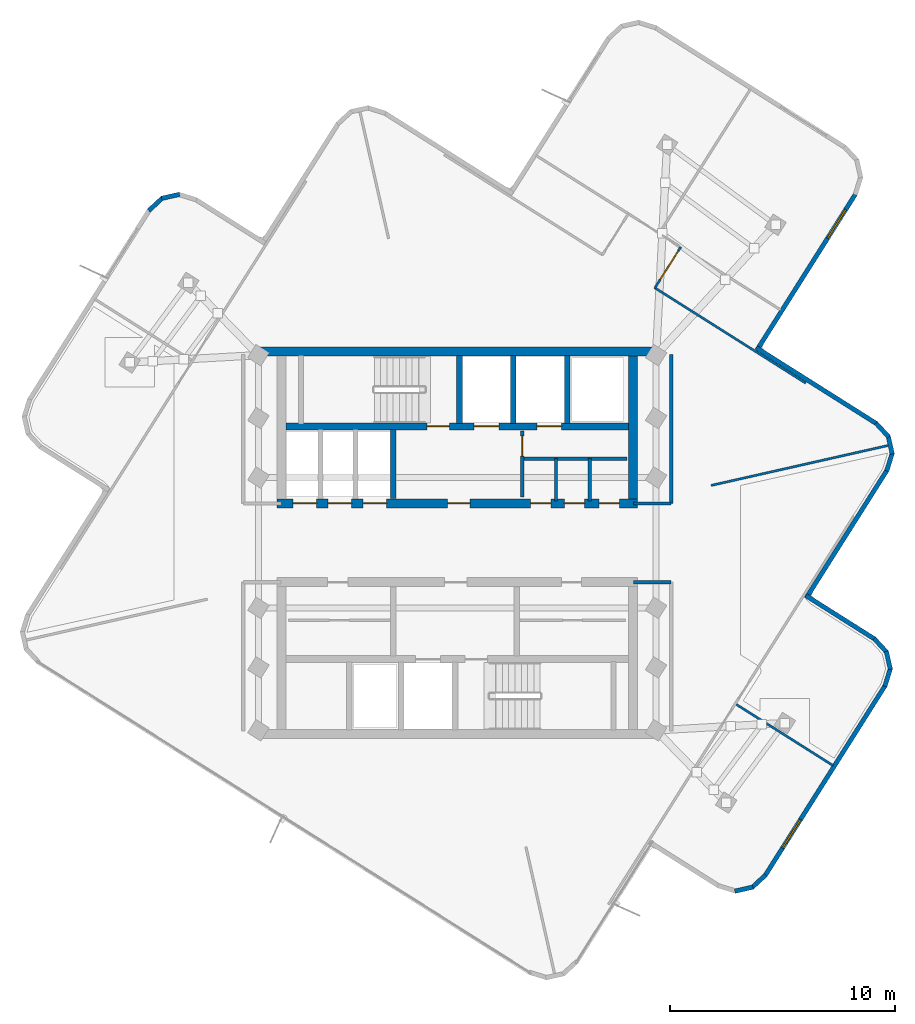
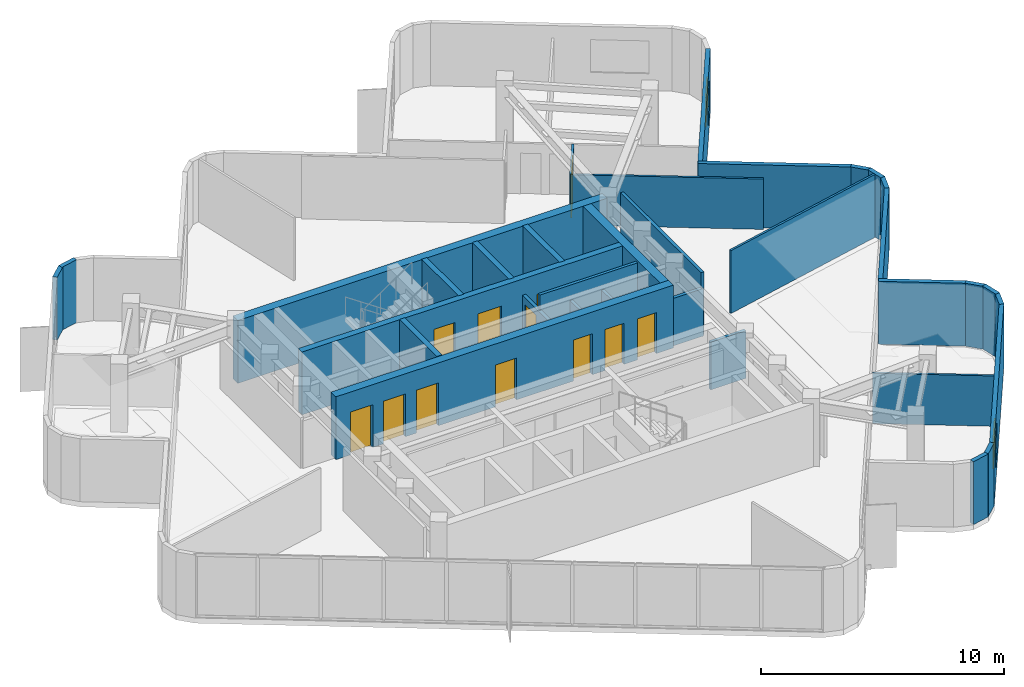
# One storey, part 5 of 8: 34 walls, 12 doors, 2 windows, 14 openings.
"""IFC4 building model written with IfcOpenShell, lengths in metres."""

from ifc_helpers import new_model, si_unit, direction, frame, frame_2d, origin, place, context, subcontext, project, spatial, rectangle, extrude, material, layer, layer_set, type_object, element, fill, save


model = new_model("IFC4")

# Units and contexts
model_context = context("Model", 3, precision=1e-05, world=origin(), true_north=direction((0.0, 1.0)))
body_context = subcontext(model_context, "Body", "Model", "MODEL_VIEW")
ifc_project = project(units=[si_unit("LENGTHUNIT", "METRE"), si_unit("AREAUNIT", "SQUARE_METRE"), si_unit("VOLUMEUNIT", "CUBIC_METRE"), si_unit("PLANEANGLEUNIT", "RADIAN"), si_unit("MASSUNIT", "GRAM", prefix="KILO")], contexts=[model_context])

# Site, building, storey
site_placement = place(None, origin())
site = spatial("IfcSite", under=ifc_project, at=site_placement, CompositionType="ELEMENT")
building_placement = place(site_placement, origin())
building = spatial("IfcBuilding", under=site, at=building_placement, Name="Solmarez Civic Tower", CompositionType="ELEMENT")
storey_placement = place(building_placement, frame((0.0, 0.0, 271.43994140625)))
storey = spatial("IfcBuildingStorey", under=building, at=storey_placement, Name="L73", CompositionType="ELEMENT", Elevation=271.43994140625)

# Wall
ifc_material_1 = material(Name="Concrete C50/60", Category="concrete")
ifc_layer_1 = layer(ifc_material_1, 0.39990234375)
ifc_layer_set_1 = layer_set([ifc_layer_1], Name="Concrete C50/60")
wall_type_1 = type_object("IfcWallType", Name="WALL-CORE-400", PredefinedType="SHEAR", material=ifc_layer_set_1)
wall_1_placement = place(storey_placement, frame((-8.780029296875, 8.510009765625, 0.0), z_axis=(0.0, 0.0, 1.0), x_axis=(1.0, 0.0, 0.0)))
element("IfcWall", 1, at=wall_1_placement, inside=storey, type_object=wall_type_1, Name="L73 Split-Core Structural Wall NCW-N-L73", PredefinedType="SHEAR", context=body_context, shape_type="SweptSolid", body=[
    extrude(rectangle(XDim=17.56005859375, YDim=0.39990234375, at=frame_2d((8.780029296875, 0.0))), origin(), (0.0, 0.0, 1.0), 3.16015625),
])

# Wall, openings, doors
wall_2_placement = place(storey_placement, frame((8.02001953125, 1.75, 0.0), z_axis=(0.0, 0.0, 1.0), x_axis=(-1.0, 0.0, 0.0)))
wall_2 = element("IfcWall", 2, at=wall_2_placement, inside=storey, type_object=wall_type_1, Name="L73 Split-Core Structural Wall NCW-S-L73", PredefinedType="SHEAR", context=body_context, shape_type="SweptSolid", body=[
    extrude(rectangle(XDim=16.0400390625, YDim=0.39990234375, at=frame_2d((8.02001953125, 0.0))), origin(), (0.0, 0.0, 1.0), 3.16015625),
])
opening_1_placement = place(wall_2_placement, frame((7.449951171875, 0.0, 0.0)))
opening_1 = element("IfcOpeningElement", 3, at=opening_1_placement, cuts=wall_2, Name="Opening D-04", PredefinedType="OPENING", context=body_context, shape_type="SweptSolid", body=[
    extrude(rectangle(XDim=1.0, YDim=2.10009765625, at=frame_2d((0.5, 1.050048828125))), frame((0.0, 0.2099609375, 0.0), z_axis=(0.0, -1.0, 0.0), x_axis=(1.0, 0.0, 0.0)), (0.0, 0.0, 1.0), 0.419921875),
])
opening_2_placement = place(wall_2_placement, frame((14.284912109375, 0.0, 0.0)))
opening_2 = element("IfcOpeningElement", 4, at=opening_2_placement, cuts=wall_2, Name="Opening LD-01", PredefinedType="OPENING", context=body_context, shape_type="SweptSolid", body=[
    extrude(rectangle(XDim=1.050048828125, YDim=2.14990234375, at=frame_2d((0.52490234375, 1.074951171875))), frame((0.0, 0.2099609375, 0.0), z_axis=(0.0, -1.0, 0.0), x_axis=(1.0, 0.0, 0.0)), (0.0, 0.0, 1.0), 0.419921875),
])
opening_3_placement = place(wall_2_placement, frame((12.72509765625, 0.0, 0.0)))
opening_3 = element("IfcOpeningElement", 5, at=opening_3_placement, cuts=wall_2, Name="Opening LD-01", PredefinedType="OPENING", context=body_context, shape_type="SweptSolid", body=[
    extrude(rectangle(XDim=1.050048828125, YDim=2.14990234375, at=frame_2d((0.52490234375, 1.074951171875))), frame((0.0, 0.2099609375, 0.0), z_axis=(0.0, -1.0, 0.0), x_axis=(1.0, 0.0, 0.0)), (0.0, 0.0, 1.0), 0.419921875),
])
opening_4_placement = place(wall_2_placement, frame((11.1650390625, 0.0, 0.0)))
opening_4 = element("IfcOpeningElement", 6, at=opening_4_placement, cuts=wall_2, Name="Opening LD-01", PredefinedType="OPENING", context=body_context, shape_type="SweptSolid", body=[
    extrude(rectangle(XDim=1.050048828125, YDim=2.14990234375, at=frame_2d((0.52490234375, 1.074951171875))), frame((0.0, 0.2099609375, 0.0), z_axis=(0.0, -1.0, 0.0), x_axis=(1.0, 0.0, 0.0)), (0.0, 0.0, 1.0), 0.419921875),
])
opening_5_placement = place(wall_2_placement, frame((3.85009765625, 0.0, 0.0)))
opening_5 = element("IfcOpeningElement", 7, at=opening_5_placement, cuts=wall_2, Name="Opening D-09", PredefinedType="OPENING", context=body_context, shape_type="SweptSolid", body=[
    extrude(rectangle(XDim=0.89990234375, YDim=2.06005859375, at=frame_2d((0.449951171875, 1.030029296875))), frame((0.0, 0.2099609375, 0.0), z_axis=(0.0, -1.0, 0.0), x_axis=(1.0, 0.0, 0.0)), (0.0, 0.0, 1.0), 0.419921875),
])
opening_6_placement = place(wall_2_placement, frame((2.35009765625, 0.0, 0.0)))
opening_6 = element("IfcOpeningElement", 8, at=opening_6_placement, cuts=wall_2, Name="Opening D-09", PredefinedType="OPENING", context=body_context, shape_type="SweptSolid", body=[
    extrude(rectangle(XDim=0.89990234375, YDim=2.06005859375, at=frame_2d((0.449951171875, 1.030029296875))), frame((0.0, 0.2099609375, 0.0), z_axis=(0.0, -1.0, 0.0), x_axis=(1.0, 0.0, 0.0)), (0.0, 0.0, 1.0), 0.419921875),
])
opening_7_placement = place(wall_2_placement, frame((0.800048828125, 0.0, 0.0)))
opening_7 = element("IfcOpeningElement", 9, at=opening_7_placement, cuts=wall_2, Name="Opening D-09", PredefinedType="OPENING", context=body_context, shape_type="SweptSolid", body=[
    extrude(rectangle(XDim=0.89990234375, YDim=2.06005859375, at=frame_2d((0.449951171875, 1.030029296875))), frame((0.0, 0.2099609375, 0.0), z_axis=(0.0, -1.0, 0.0), x_axis=(1.0, 0.0, 0.0)), (0.0, 0.0, 1.0), 0.419921875),
])
ifc_material_2 = material(Name="Steel-Faced Acoustic Fire Door", Category="steel")
door_type_1 = type_object("IfcDoorType", Name="DOOR-FD60-1000", OperationType="NOTDEFINED", PredefinedType="DOOR", material=ifc_material_2)
door_1_placement = place(opening_1_placement, origin())
door_1 = element("IfcDoor", 10, at=door_1_placement, inside=storey, type_object=door_type_1, Name="L73 North Firefighting Lobby Door", OperationType="SINGLE_SWING_RIGHT", OverallHeight=2.10009765625, OverallWidth=1.0, PredefinedType="DOOR", context=body_context, shape_type="SweptSolid", body=[
    extrude(rectangle(XDim=1.0, YDim=2.10009765625, at=frame_2d((0.5, 1.050048828125))), frame((0.0, 0.02490234375, 0.0), z_axis=(0.0, -1.0, 0.0), x_axis=(1.0, 0.0, 0.0)), (0.0, 0.0, 1.0), 0.050048828125),
])
fill(opening_1, door_1)
ifc_material_3 = material(Name="Fire-Rated Service Core Door", Category="wood")
door_type_2 = type_object("IfcDoorType", Name="DOOR-FD60-900", OperationType="NOTDEFINED", PredefinedType="DOOR", material=ifc_material_3)
door_2_placement = place(opening_5_placement, origin())
door_2 = element("IfcDoor", 11, at=door_2_placement, inside=storey, type_object=door_type_2, Name="L73 Core WC Door", OperationType="SINGLE_SWING_RIGHT", OverallHeight=2.06005859375, OverallWidth=0.89990234375, PredefinedType="DOOR", context=body_context, shape_type="SweptSolid", body=[
    extrude(rectangle(XDim=0.89990234375, YDim=2.06005859375, at=frame_2d((0.449951171875, 1.030029296875))), frame((0.0, 0.02490234375, 0.0), z_axis=(0.0, -1.0, 0.0), x_axis=(1.0, 0.0, 0.0)), (0.0, 0.0, 1.0), 0.050048828125),
])
fill(opening_5, door_2)
door_3_placement = place(opening_6_placement, origin())
door_3 = element("IfcDoor", 12, at=door_3_placement, inside=storey, type_object=door_type_2, Name="L73 Core CL Door", OperationType="SINGLE_SWING_LEFT", OverallHeight=2.06005859375, OverallWidth=0.89990234375, PredefinedType="DOOR", context=body_context, shape_type="SweptSolid", body=[
    extrude(rectangle(XDim=0.89990234375, YDim=2.06005859375, at=frame_2d((0.449951171875, 1.030029296875))), frame((0.0, 0.02490234375, 0.0), z_axis=(0.0, -1.0, 0.0), x_axis=(1.0, 0.0, 0.0)), (0.0, 0.0, 1.0), 0.050048828125),
])
fill(opening_6, door_3)
door_4_placement = place(opening_7_placement, origin())
door_4 = element("IfcDoor", 13, at=door_4_placement, inside=storey, type_object=door_type_2, Name="L73 Core IT Door", OperationType="SINGLE_SWING_LEFT", OverallHeight=2.06005859375, OverallWidth=0.89990234375, PredefinedType="DOOR", context=body_context, shape_type="SweptSolid", body=[
    extrude(rectangle(XDim=0.89990234375, YDim=2.06005859375, at=frame_2d((0.449951171875, 1.030029296875))), frame((0.0, 0.02490234375, 0.0), z_axis=(0.0, -1.0, 0.0), x_axis=(1.0, 0.0, 0.0)), (0.0, 0.0, 1.0), 0.050048828125),
])
fill(opening_7, door_4)
ifc_material_4 = material(Name="Bronze Passenger Lift Landing Sliding Door", Category="aluminium")
door_type_3 = type_object("IfcDoorType", Name="DOOR-LD-PAX-1050", OperationType="DOUBLE_DOOR_SLIDING", PredefinedType="DOOR", material=ifc_material_4)
door_5_placement = place(opening_2_placement, origin())
door_5 = element("IfcDoor", 14, at=door_5_placement, inside=storey, type_object=door_type_3, Name="L73 High-Rise Lift Landing Door PL-H1", OperationType="DOUBLE_DOOR_SLIDING", OverallHeight=2.14990234375, OverallWidth=1.050048828125, PredefinedType="DOOR", context=body_context, shape_type="SweptSolid", body=[
    extrude(rectangle(XDim=1.050048828125, YDim=2.14990234375, at=frame_2d((0.52490234375, 1.074951171875))), frame((0.0, 0.02490234375, 0.0), z_axis=(0.0, -1.0, 0.0), x_axis=(1.0, 0.0, 0.0)), (0.0, 0.0, 1.0), 0.050048828125),
])
fill(opening_2, door_5)
door_6_placement = place(opening_3_placement, origin())
door_6 = element("IfcDoor", 15, at=door_6_placement, inside=storey, type_object=door_type_3, Name="L73 High-Rise Lift Landing Door PL-H2", OperationType="DOUBLE_DOOR_SLIDING", OverallHeight=2.14990234375, OverallWidth=1.050048828125, PredefinedType="DOOR", context=body_context, shape_type="SweptSolid", body=[
    extrude(rectangle(XDim=1.050048828125, YDim=2.14990234375, at=frame_2d((0.52490234375, 1.074951171875))), frame((0.0, 0.02490234375, 0.0), z_axis=(0.0, -1.0, 0.0), x_axis=(1.0, 0.0, 0.0)), (0.0, 0.0, 1.0), 0.050048828125),
])
fill(opening_3, door_6)
door_7_placement = place(opening_4_placement, origin())
door_7 = element("IfcDoor", 16, at=door_7_placement, inside=storey, type_object=door_type_3, Name="L73 High-Rise Lift Landing Door PL-H3", OperationType="DOUBLE_DOOR_SLIDING", OverallHeight=2.14990234375, OverallWidth=1.050048828125, PredefinedType="DOOR", context=body_context, shape_type="SweptSolid", body=[
    extrude(rectangle(XDim=1.050048828125, YDim=2.14990234375, at=frame_2d((0.52490234375, 1.074951171875))), frame((0.0, 0.02490234375, 0.0), z_axis=(0.0, -1.0, 0.0), x_axis=(1.0, 0.0, 0.0)), (0.0, 0.0, 1.0), 0.050048828125),
])
fill(opening_4, door_7)

# Walls
wall_3_placement = place(storey_placement, frame((7.820068359375, 8.31005859375, 0.0), z_axis=(0.0, 0.0, 1.0), x_axis=(0.0, -1.0, 0.0)))
element("IfcWall", 17, at=wall_3_placement, inside=storey, type_object=wall_type_1, Name="L73 Split-Core Structural Wall NCW-E-L73", PredefinedType="SHEAR", context=body_context, shape_type="SweptSolid", body=[
    extrude(rectangle(XDim=6.360107421875, YDim=0.39990234375, at=frame_2d((3.18017578125, 0.0))), origin(), (0.0, 0.0, 1.0), 3.16015625),
])
ifc_material_5 = material(Name="Precast concrete C40/50", Category="concrete")
ifc_layer_2 = layer(ifc_material_5, 0.199951171875)
ifc_layer_set_2 = layer_set([ifc_layer_2], Name="Precast concrete C40/50")
wall_type_2 = type_object("IfcWallType", Name="WALL-EXT-200", PredefinedType="SOLIDWALL", material=ifc_layer_set_2)
wall_4_placement = place(storey_placement, frame((-13.73388671875, 14.781982421875, 0.0), z_axis=(0.0, 0.0, 1.0), x_axis=(0.73396507435, 0.679187212508, 0.0)))
element("IfcWall", 18, at=wall_4_placement, inside=storey, type_object=wall_type_2, Name="L73 Exterior Precast Wall 18", PredefinedType="SOLIDWALL", context=body_context, shape_type="SweptSolid", body=[
    extrude(rectangle(XDim=0.837890625, YDim=0.199951171875, at=frame_2d((0.4189453125, 0.0))), origin(), (0.0, 0.0, 1.0), 3.16015625),
])
wall_5_placement = place(storey_placement, frame((-13.160888671875, 15.327880859375, 0.0), z_axis=(0.0, 0.0, 1.0), x_axis=(0.975030953114, 0.222068999343, 0.0)))
element("IfcWall", 19, at=wall_5_placement, inside=storey, type_object=wall_type_2, Name="L73 Exterior Precast Wall 19", PredefinedType="SOLIDWALL", context=body_context, shape_type="SweptSolid", body=[
    extrude(rectangle(XDim=0.824462890625, YDim=0.199951171875, at=frame_2d((0.412109375, 0.0))), origin(), (0.0, 0.0, 1.0), 3.16015625),
])

# Wall, opening, window
wall_6_placement = place(storey_placement, frame((17.739990234375, 15.5390625, 0.0), z_axis=(0.0, 0.0, 1.0), x_axis=(-0.533941726163, -0.845521278893, 0.0)))
wall_6 = element("IfcWall", 20, at=wall_6_placement, inside=storey, type_object=wall_type_2, Name="L73 Exterior Precast Wall 39", PredefinedType="SOLIDWALL", context=body_context, shape_type="SweptSolid", body=[
    extrude(rectangle(XDim=8.2421875, YDim=0.199951171875, at=frame_2d((4.12109375, 0.0))), origin(), (0.0, 0.0, 1.0), 3.16015625),
])
opening_8_placement = place(wall_6_placement, frame((0.85009765625, 0.0, 0.85009765625)))
opening_8 = element("IfcOpeningElement", 21, at=opening_8_placement, cuts=wall_6, Name="Opening W-14", PredefinedType="OPENING", context=body_context, shape_type="SweptSolid", body=[
    extrude(rectangle(XDim=1.5, YDim=1.5, at=frame_2d((0.75, 0.75))), frame((0.0, 0.10986328125, 0.0), z_axis=(0.0, -1.0, 0.0), x_axis=(1.0, 0.0, 0.0)), (0.0, 0.0, 1.0), 0.219970703125),
])
ifc_material_6 = material(Name="Solar Control Bronze-Tinted Insulating Glass", Category="glass")
window_type = type_object("IfcWindowType", Name="WIN-1500X1500", PartitioningType="SINGLE_PANEL", PredefinedType="WINDOW", material=ifc_material_6)
window_1_placement = place(opening_8_placement, origin())
window_1 = element("IfcWindow", 22, at=window_1_placement, inside=storey, type_object=window_type, Name="L73 Exterior Facade Window 39", OverallHeight=1.5, OverallWidth=1.5, PartitioningType="SINGLE_PANEL", PredefinedType="WINDOW", context=body_context, shape_type="SweptSolid", body=[
    extrude(rectangle(XDim=1.5, YDim=1.5, at=frame_2d((0.75, 0.75))), frame((0.0, 0.030029296875, 0.0), z_axis=(0.0, -1.0, 0.0), x_axis=(1.0, 0.0, 0.0)), (0.0, 0.0, 1.0), 0.06005859375),
])
fill(opening_8, window_1)

# Walls
wall_7_placement = place(storey_placement, frame((13.31396484375, 8.680908203125, 0.0), z_axis=(0.0, 0.0, 1.0), x_axis=(0.845530066623, -0.533927810135, 0.0)))
element("IfcWall", 23, at=wall_7_placement, inside=storey, type_object=wall_type_2, Name="L73 Exterior Precast Wall 42", PredefinedType="SOLIDWALL", context=body_context, shape_type="SweptSolid", body=[
    extrude(rectangle(XDim=6.341552734375, YDim=0.199951171875, at=frame_2d((3.1708984375, 0.0))), origin(), (0.0, 0.0, 1.0), 3.16015625),
])
wall_8_placement = place(storey_placement, frame((18.637939453125, 5.325927734375, 0.0), z_axis=(0.0, 0.0, 1.0), x_axis=(0.678558613405, -0.734546260064, 0.0)))
element("IfcWall", 24, at=wall_8_placement, inside=storey, type_object=wall_type_2, Name="L73 Exterior Precast Wall 43", PredefinedType="SOLIDWALL", context=body_context, shape_type="SweptSolid", body=[
    extrude(rectangle(XDim=0.837158203125, YDim=0.199951171875, at=frame_2d((0.41845703125, 0.0))), origin(), (0.0, 0.0, 1.0), 3.16015625),
])
wall_9_placement = place(storey_placement, frame((19.18310546875, 4.7529296875, 0.0), z_axis=(0.0, 0.0, 1.0), x_axis=(0.22178748126, -0.975095027757, 0.0)))
element("IfcWall", 25, at=wall_9_placement, inside=storey, type_object=wall_type_2, Name="L73 Exterior Precast Wall 44", PredefinedType="SOLIDWALL", context=body_context, shape_type="SweptSolid", body=[
    extrude(rectangle(XDim=0.824462890625, YDim=0.199951171875, at=frame_2d((0.412109375, 0.0))), origin(), (0.0, 0.0, 1.0), 3.16015625),
])
wall_10_placement = place(storey_placement, frame((19.366943359375, 3.9970703125, 0.0), z_axis=(0.0, 0.0, 1.0), x_axis=(-0.295803919306, -0.955248680357, 0.0)))
element("IfcWall", 26, at=wall_10_placement, inside=storey, type_object=wall_type_2, Name="L73 Exterior Precast Wall 45", PredefinedType="SOLIDWALL", context=body_context, shape_type="SweptSolid", body=[
    extrude(rectangle(XDim=0.838623046875, YDim=0.199951171875, at=frame_2d((0.41943359375, 0.0))), origin(), (0.0, 0.0, 1.0), 3.16015625),
])
wall_11_placement = place(storey_placement, frame((19.138916015625, 3.240966796875, 0.0), z_axis=(0.0, 0.0, 1.0), x_axis=(-0.534084270085, -0.845431246435, 0.0)))
element("IfcWall", 27, at=wall_11_placement, inside=storey, type_object=wall_type_2, Name="L73 Exterior Precast Wall 46", PredefinedType="SOLIDWALL", context=body_context, shape_type="SweptSolid", body=[
    extrude(rectangle(XDim=6.741943359375, YDim=0.199951171875, at=frame_2d((3.37109375, 0.0))), origin(), (0.0, 0.0, 1.0), 3.16015625),
])
wall_12_placement = place(storey_placement, frame((15.512939453125, -2.347900390625, 0.0), z_axis=(0.0, 0.0, 1.0), x_axis=(0.8454427056, -0.534066130313, 0.0)))
element("IfcWall", 28, at=wall_12_placement, inside=storey, type_object=wall_type_2, Name="L73 Exterior Precast Wall 49", PredefinedType="SOLIDWALL", context=body_context, shape_type="SweptSolid", body=[
    extrude(rectangle(XDim=3.64208984375, YDim=0.199951171875, at=frame_2d((1.821044921875, 0.0))), origin(), (0.0, 0.0, 1.0), 3.16015625),
])
wall_13_placement = place(storey_placement, frame((18.553955078125, -4.261962890625, 0.0), z_axis=(0.0, 0.0, 1.0), x_axis=(0.679187212508, -0.73396507435, 0.0)))
element("IfcWall", 29, at=wall_13_placement, inside=storey, type_object=wall_type_2, Name="L73 Exterior Precast Wall 50", PredefinedType="SOLIDWALL", context=body_context, shape_type="SweptSolid", body=[
    extrude(rectangle(XDim=0.837890625, YDim=0.199951171875, at=frame_2d((0.4189453125, 0.0))), origin(), (0.0, 0.0, 1.0), 3.16015625),
])
wall_14_placement = place(storey_placement, frame((19.10009765625, -4.8349609375, 0.0), z_axis=(0.0, 0.0, 1.0), x_axis=(0.222043922605, -0.975036664149, 0.0)))
element("IfcWall", 30, at=wall_14_placement, inside=storey, type_object=wall_type_2, Name="L73 Exterior Precast Wall 51", PredefinedType="SOLIDWALL", context=body_context, shape_type="SweptSolid", body=[
    extrude(rectangle(XDim=0.823486328125, YDim=0.199951171875, at=frame_2d((0.41162109375, 0.0))), origin(), (0.0, 0.0, 1.0), 3.16015625),
])
wall_15_placement = place(storey_placement, frame((19.283935546875, -5.590087890625, 0.0), z_axis=(0.0, 0.0, 1.0), x_axis=(-0.295803919306, -0.955248680357, 0.0)))
element("IfcWall", 31, at=wall_15_placement, inside=storey, type_object=wall_type_2, Name="L73 Exterior Precast Wall 52", PredefinedType="SOLIDWALL", context=body_context, shape_type="SweptSolid", body=[
    extrude(rectangle(XDim=0.838623046875, YDim=0.199951171875, at=frame_2d((0.41943359375, 0.0))), origin(), (0.0, 0.0, 1.0), 3.16015625),
])

# Wall, opening, window
wall_16_placement = place(storey_placement, frame((19.055908203125, -6.345947265625, 0.0), z_axis=(0.0, 0.0, 1.0), x_axis=(-0.534060804588, -0.845446069837, 0.0)))
wall_16 = element("IfcWall", 32, at=wall_16_placement, inside=storey, type_object=wall_type_2, Name="L73 Exterior Precast Wall 53", PredefinedType="SOLIDWALL", context=body_context, shape_type="SweptSolid", body=[
    extrude(rectangle(XDim=10.023193359375, YDim=0.199951171875, at=frame_2d((5.01171875, 0.0))), origin(), (0.0, 0.0, 1.0), 3.16015625),
])
opening_9_placement = place(wall_16_placement, frame((7.068115234375, 0.0, 0.85009765625)))
opening_9 = element("IfcOpeningElement", 33, at=opening_9_placement, cuts=wall_16, Name="Opening W-14", PredefinedType="OPENING", context=body_context, shape_type="SweptSolid", body=[
    extrude(rectangle(XDim=1.5, YDim=1.5, at=frame_2d((0.75, 0.75))), frame((0.0, 0.10986328125, 0.0), z_axis=(0.0, -1.0, 0.0), x_axis=(1.0, 0.0, 0.0)), (0.0, 0.0, 1.0), 0.219970703125),
])
window_2_placement = place(opening_9_placement, origin())
window_2 = element("IfcWindow", 34, at=window_2_placement, inside=storey, type_object=window_type, Name="L73 Exterior Facade Window 53", OverallHeight=1.5, OverallWidth=1.5, PartitioningType="SINGLE_PANEL", PredefinedType="WINDOW", context=body_context, shape_type="SweptSolid", body=[
    extrude(rectangle(XDim=1.5, YDim=1.5, at=frame_2d((0.75, 0.75))), frame((0.0, 0.030029296875, 0.0), z_axis=(0.0, -1.0, 0.0), x_axis=(1.0, 0.0, 0.0)), (0.0, 0.0, 1.0), 0.06005859375),
])
fill(opening_9, window_2)

# Walls
wall_17_placement = place(storey_placement, frame((13.73388671875, -14.781982421875, 0.0), z_axis=(0.0, 0.0, 1.0), x_axis=(-0.73396507435, -0.679187212508, 0.0)))
element("IfcWall", 35, at=wall_17_placement, inside=storey, type_object=wall_type_2, Name="L73 Exterior Precast Wall 54", PredefinedType="SOLIDWALL", context=body_context, shape_type="SweptSolid", body=[
    extrude(rectangle(XDim=0.837890625, YDim=0.199951171875, at=frame_2d((0.4189453125, 0.0))), origin(), (0.0, 0.0, 1.0), 3.16015625),
])
wall_18_placement = place(storey_placement, frame((13.160888671875, -15.327880859375, 0.0), z_axis=(0.0, 0.0, 1.0), x_axis=(-0.975030953114, -0.222068999343, 0.0)))
element("IfcWall", 36, at=wall_18_placement, inside=storey, type_object=wall_type_2, Name="L73 Exterior Precast Wall 55", PredefinedType="SOLIDWALL", context=body_context, shape_type="SweptSolid", body=[
    extrude(rectangle(XDim=0.824462890625, YDim=0.199951171875, at=frame_2d((0.412109375, 0.0))), origin(), (0.0, 0.0, 1.0), 3.16015625),
])
ifc_material_7 = material(Name="Gypsum Board Acoustic Steel-Stud Partition", Category="steel")
ifc_layer_3 = layer(ifc_material_7, 0.14990234375)
ifc_layer_set_3 = layer_set([ifc_layer_3], Name="Gypsum Board Acoustic Steel-Stud Partition")
wall_type_3 = type_object("IfcWallType", Name="WALL-INT-FIRE-150", PredefinedType="PARTITIONING", material=ifc_layer_set_3)
wall_19_placement = place(storey_placement, frame((9.52001953125, 1.75, 0.0), z_axis=(0.0, 0.0, 1.0), x_axis=(0.0, 1.0, 0.0)))
element("IfcWall", 37, at=wall_19_placement, inside=storey, type_object=wall_type_3, Name="L73 Interior Partition CHW-L73-EN1", PredefinedType="PARTITIONING", context=body_context, shape_type="SweptSolid", body=[
    extrude(rectangle(XDim=6.6298828125, YDim=0.14990234375, at=frame_2d((3.31494140625, 0.0))), origin(), (0.0, 0.0, 1.0), 3.16015625),
])
for number, where, z_axis, x_axis, name in (
    (38, (7.85009765625, 1.75, 0.0), (0.0, 0.0, 1.0), (1.0, 0.0, 0.0), "L73 Interior Partition CHW-L73-EN3"),
    (39, (7.85009765625, -1.75, 0.0), (0.0, 0.0, 1.0), (1.0, 0.0, 0.0), "L73 Interior Partition CHW-L73-ES3"),
):
    element("IfcWall", number, at=place(storey_placement, frame(where, z_axis=z_axis, x_axis=x_axis)), inside=storey, type_object=wall_type_3, Name=name, PredefinedType="PARTITIONING", context=body_context, shape_type="SweptSolid", body=[
        extrude(rectangle(XDim=1.669921875, YDim=0.14990234375, at=frame_2d((0.8349609375, 0.0))), origin(), (0.0, 0.0, 1.0), 2.39013671875),
    ])
ifc_layer_4 = layer(ifc_material_7, 0.10009765625)
ifc_layer_set_4 = layer_set([ifc_layer_4], Name="Gypsum Board Acoustic Steel-Stud Partition")
wall_type_4 = type_object("IfcWallType", Name="WALL-INT-PART-100", PredefinedType="PARTITIONING", material=ifc_layer_set_4)
wall_20_placement = place(storey_placement, frame((11.300048828125, 2.551025390625, 0.0), z_axis=(0.0, 0.0, 1.0), x_axis=(0.975452684537, 0.220209128395, 0.0)))
element("IfcWall", 40, at=wall_20_placement, inside=storey, type_object=wall_type_4, Name="L73 Interior Partition PT-L73-QDIV-4", PredefinedType="PARTITIONING", context=body_context, shape_type="SweptSolid", body=[
    extrude(rectangle(XDim=8.10986328125, YDim=0.10009765625, at=frame_2d((4.054931640625, 0.0))), origin(), (0.0, 0.0, 1.0), 3.16015625),
])
wall_21_placement = place(storey_placement, frame((15.511962890625, 7.10400390625, 0.0), z_axis=(0.0, 0.0, 1.0), x_axis=(-0.845450958208, 0.534053065963, 0.0)))
element("IfcWall", 41, at=wall_21_placement, inside=storey, type_object=wall_type_4, Name="L73 Interior Partition PT-L73-E-EFR", PredefinedType="PARTITIONING", context=body_context, shape_type="SweptSolid", body=[
    extrude(rectangle(XDim=7.95068359375, YDim=0.10009765625, at=frame_2d((3.975341796875, 0.0))), origin(), (0.0, 0.0, 1.0), 2.530029296875),
])

# Wall, opening, door
wall_22_placement = place(storey_placement, frame((8.798095703125, 11.343994140625, 0.0), z_axis=(0.0, 0.0, 1.0), x_axis=(0.533984489243, 0.845494272747, 0.0)))
wall_22 = element("IfcWall", 42, at=wall_22_placement, inside=storey, type_object=wall_type_4, Name="L73 Interior Partition PT-L73-E-SR", PredefinedType="PARTITIONING", context=body_context, shape_type="SweptSolid", body=[
    extrude(rectangle(XDim=2.16064453125, YDim=0.10009765625, at=frame_2d((1.080322265625, 0.0))), origin(), (0.0, 0.0, 1.0), 2.530029296875),
])
opening_10_placement = place(wall_22_placement, frame((0.44091796875, 0.0, 0.0)))
opening_10 = element("IfcOpeningElement", 43, at=opening_10_placement, cuts=wall_22, Name="Opening D-16", PredefinedType="OPENING", context=body_context, shape_type="SweptSolid", body=[
    extrude(rectangle(XDim=1.5, YDim=2.1201171875, at=frame_2d((0.75, 1.06005859375))), frame((0.0, 0.06005859375, 0.0), z_axis=(0.0, -1.0, 0.0), x_axis=(1.0, 0.0, 0.0)), (0.0, 0.0, 1.0), 0.1201171875),
])
ifc_material_8 = material(Name="Diplomatic Protocol Reception Door", Category="wood")
door_type_4 = type_object("IfcDoorType", Name="DOOR-INT-1500", OperationType="NOTDEFINED", PredefinedType="DOOR", material=ifc_material_8)
door_8_placement = place(opening_10_placement, origin())
door_8 = element("IfcDoor", 44, at=door_8_placement, inside=storey, type_object=door_type_4, Name="L73 Civic Lecture Classroom East Door", OperationType="SINGLE_SWING_RIGHT", OverallHeight=2.1201171875, OverallWidth=1.5, PredefinedType="DOOR", context=body_context, shape_type="SweptSolid", body=[
    extrude(rectangle(XDim=1.5, YDim=2.1201171875, at=frame_2d((0.75, 1.06005859375))), frame((0.0, 0.02490234375, 0.0), z_axis=(0.0, -1.0, 0.0), x_axis=(1.0, 0.0, 0.0)), (0.0, 0.0, 1.0), 0.050048828125),
])
fill(opening_10, door_8)

# Wall
wall_23_placement = place(storey_placement, frame((12.426025390625, -7.198974609375, 0.0), z_axis=(0.0, 0.0, 1.0), x_axis=(0.845412458252, -0.53411400977, 0.0)))
element("IfcWall", 45, at=wall_23_placement, inside=storey, type_object=wall_type_4, Name="L73 Interior Partition PT-L73-S-ALM", PredefinedType="PARTITIONING", context=body_context, shape_type="SweptSolid", body=[
    extrude(rectangle(XDim=5.085205078125, YDim=0.10009765625, at=frame_2d((2.54248046875, 0.0))), origin(), (0.0, 0.0, 1.0), 2.530029296875),
])

# Wall, opening, door
ifc_layer_5 = layer(ifc_material_7, 0.159912109375)
ifc_layer_set_5 = layer_set([ifc_layer_5], Name="Gypsum Board Acoustic Steel-Stud Partition")
wall_type_5 = type_object("IfcWallType", Name="WALL-INT-SHAFT-160", PredefinedType="PARTITIONING", material=ifc_layer_set_5)
wall_24_placement = place(storey_placement, frame((2.89990234375, 2.0400390625, 0.0), z_axis=(0.0, 0.0, 1.0), x_axis=(0.0, 1.0, 0.0)))
wall_24 = element("IfcWall", 46, at=wall_24_placement, inside=storey, type_object=wall_type_5, Name="L73 Interior Partition SHW-NL2-L73", PredefinedType="PARTITIONING", context=body_context, shape_type="SweptSolid", body=[
    extrude(rectangle(XDim=2.93994140625, YDim=0.159912109375, at=frame_2d((1.469970703125, 0.0))), origin(), (0.0, 0.0, 1.0), 2.39013671875),
])
opening_11_placement = place(wall_24_placement, frame((1.820068359375, 0.0, 0.0)))
opening_11 = element("IfcOpeningElement", 47, at=opening_11_placement, cuts=wall_24, Name="Opening D-09", PredefinedType="OPENING", context=body_context, shape_type="SweptSolid", body=[
    extrude(rectangle(XDim=0.89990234375, YDim=2.06005859375, at=frame_2d((0.449951171875, 1.030029296875))), frame((0.0, 0.08984375, 0.0), z_axis=(0.0, -1.0, 0.0), x_axis=(1.0, 0.0, 0.0)), (0.0, 0.0, 1.0), 0.179931640625),
])
door_9_placement = place(opening_11_placement, origin())
door_9 = element("IfcDoor", 48, at=door_9_placement, inside=storey, type_object=door_type_2, Name="L73 Service Lift Lobby Door", OperationType="SINGLE_SWING_LEFT", OverallHeight=2.06005859375, OverallWidth=0.89990234375, PredefinedType="DOOR", context=body_context, shape_type="SweptSolid", body=[
    extrude(rectangle(XDim=0.89990234375, YDim=2.06005859375, at=frame_2d((0.449951171875, 1.030029296875))), frame((0.0, 0.02490234375, 0.0), z_axis=(0.0, -1.0, 0.0), x_axis=(1.0, 0.0, 0.0)), (0.0, 0.0, 1.0), 0.050048828125),
])
fill(opening_11, door_9)

# Walls
ifc_layer_6 = layer(ifc_material_7, 0.137939453125)
ifc_layer_set_6 = layer_set([ifc_layer_6], Name="Gypsum Board Acoustic Steel-Stud Partition")
wall_type_6 = type_object("IfcWallType", Name="WALL-INT-WET-140", PredefinedType="PARTITIONING", material=ifc_layer_set_6)
wall_25_placement = place(storey_placement, frame((2.89990234375, 3.739990234375, 0.0), z_axis=(0.0, 0.0, 1.0), x_axis=(1.0, 0.0, 0.0)))
element("IfcWall", 49, at=wall_25_placement, inside=storey, type_object=wall_type_6, Name="L73 Interior Partition SHW-SVH-L73", PredefinedType="PARTITIONING", context=body_context, shape_type="SweptSolid", body=[
    extrude(rectangle(XDim=4.650146484375, YDim=0.137939453125, at=frame_2d((2.3251953125, 0.0))), origin(), (0.0, 0.0, 1.0), 3.16015625),
])
for number, where, z_axis, x_axis, name in (
    (50, (4.39990234375, 1.85009765625, 0.0), (0.0, 0.0, 1.0), (0.0, 1.0, 0.0), "L73 Interior Partition PT-NCSV1-L73"),
    (51, (5.89990234375, 1.85009765625, 0.0), (0.0, 0.0, 1.0), (0.0, 1.0, 0.0), "L73 Interior Partition PT-NCSV2-L73"),
):
    element("IfcWall", number, at=place(storey_placement, frame(where, z_axis=z_axis, x_axis=x_axis)), inside=storey, type_object=wall_type_6, Name=name, PredefinedType="PARTITIONING", context=body_context, shape_type="SweptSolid", body=[
        extrude(rectangle(XDim=1.889892578125, YDim=0.137939453125, at=frame_2d((0.94482421875, 0.0))), origin(), (0.0, 0.0, 1.0), 2.39013671875),
    ])

# Wall, openings, doors
ifc_layer_7 = layer(ifc_material_1, 0.300048828125)
ifc_layer_set_7 = layer_set([ifc_layer_7], Name="Concrete C50/60")
wall_type_7 = type_object("IfcWallType", Name="WALL-STR-300", PredefinedType="SOLIDWALL", material=ifc_layer_set_7)
wall_26_placement = place(storey_placement, frame((7.6201171875, 5.179931640625, 0.0), z_axis=(0.0, 0.0, 1.0), x_axis=(-1.0, 0.0, 0.0)))
wall_26 = element("IfcWall", 52, at=wall_26_placement, inside=storey, type_object=wall_type_7, Name="L73 Split-Core Structural Wall NCW-M-L73", PredefinedType="SOLIDWALL", context=body_context, shape_type="SweptSolid", body=[
    extrude(rectangle(XDim=15.240234375, YDim=0.300048828125, at=frame_2d((7.6201171875, 0.0))), origin(), (0.0, 0.0, 1.0), 3.16015625),
])
opening_12_placement = place(wall_26_placement, frame((5.77001953125, 0.0, 0.0)))
opening_12 = element("IfcOpeningElement", 53, at=opening_12_placement, cuts=wall_26, Name="Opening LD-02", PredefinedType="OPENING", context=body_context, shape_type="SweptSolid", body=[
    extrude(rectangle(XDim=1.10009765625, YDim=2.14990234375, at=frame_2d((0.550048828125, 1.074951171875))), frame((0.0, 0.159912109375, 0.0), z_axis=(0.0, -1.0, 0.0), x_axis=(1.0, 0.0, 0.0)), (0.0, 0.0, 1.0), 0.320068359375),
])
opening_13_placement = place(wall_26_placement, frame((2.969970703125, 0.0, 0.0)))
opening_13 = element("IfcOpeningElement", 54, at=opening_13_placement, cuts=wall_26, Name="Opening LD-03", PredefinedType="OPENING", context=body_context, shape_type="SweptSolid", body=[
    extrude(rectangle(XDim=1.10009765625, YDim=2.14990234375, at=frame_2d((0.550048828125, 1.074951171875))), frame((0.0, 0.159912109375, 0.0), z_axis=(0.0, -1.0, 0.0), x_axis=(1.0, 0.0, 0.0)), (0.0, 0.0, 1.0), 0.320068359375),
])
opening_14_placement = place(wall_26_placement, frame((7.969970703125, 0.0, 0.0)))
opening_14 = element("IfcOpeningElement", 55, at=opening_14_placement, cuts=wall_26, Name="Opening D-05", PredefinedType="OPENING", context=body_context, shape_type="SweptSolid", body=[
    extrude(rectangle(XDim=1.0, YDim=2.10009765625, at=frame_2d((0.5, 1.050048828125))), frame((0.0, 0.159912109375, 0.0), z_axis=(0.0, -1.0, 0.0), x_axis=(1.0, 0.0, 0.0)), (0.0, 0.0, 1.0), 0.320068359375),
])
ifc_material_9 = material(Name="Fire-Rated Stairwell Exit Door", Category="wood")
door_type_5 = type_object("IfcDoorType", Name="DOOR-FD90-1000", OperationType="NOTDEFINED", PredefinedType="DOOR", material=ifc_material_9)
door_10_placement = place(opening_14_placement, origin())
door_10 = element("IfcDoor", 56, at=door_10_placement, inside=storey, type_object=door_type_5, Name="L73 North Exit Stair Door ST-1", OperationType="SINGLE_SWING_RIGHT", OverallHeight=2.10009765625, OverallWidth=1.0, PredefinedType="DOOR", context=body_context, shape_type="SweptSolid", body=[
    extrude(rectangle(XDim=1.0, YDim=2.10009765625, at=frame_2d((0.5, 1.050048828125))), frame((0.0, 0.02490234375, 0.0), z_axis=(0.0, -1.0, 0.0), x_axis=(1.0, 0.0, 0.0)), (0.0, 0.0, 1.0), 0.050048828125),
])
fill(opening_14, door_10)
ifc_material_10 = material(Name="Stainless Firefighting Lift Landing Sliding Door", Category="aluminium")
door_type_6 = type_object("IfcDoorType", Name="DOOR-LD-FF-1100", OperationType="DOUBLE_DOOR_SLIDING", PredefinedType="DOOR", material=ifc_material_10)
door_11_placement = place(opening_12_placement, origin())
door_11 = element("IfcDoor", 57, at=door_11_placement, inside=storey, type_object=door_type_6, Name="L73 Firefighting Lift Landing Door FFL-1", OperationType="DOUBLE_DOOR_SLIDING", OverallHeight=2.14990234375, OverallWidth=1.10009765625, PredefinedType="DOOR", context=body_context, shape_type="SweptSolid", body=[
    extrude(rectangle(XDim=1.10009765625, YDim=2.14990234375, at=frame_2d((0.550048828125, 1.074951171875))), frame((0.0, 0.02490234375, 0.0), z_axis=(0.0, -1.0, 0.0), x_axis=(1.0, 0.0, 0.0)), (0.0, 0.0, 1.0), 0.050048828125),
])
fill(opening_12, door_11)
ifc_material_11 = material(Name="Stainless Stretcher Lift Landing Sliding Door", Category="aluminium")
door_type_7 = type_object("IfcDoorType", Name="DOOR-LD-SV-1100", OperationType="DOUBLE_DOOR_SLIDING", PredefinedType="DOOR", material=ifc_material_11)
door_12_placement = place(opening_13_placement, origin())
door_12 = element("IfcDoor", 58, at=door_12_placement, inside=storey, type_object=door_type_7, Name="L73 Service Stretcher Lift Landing Door SVL-1", OperationType="DOUBLE_DOOR_SLIDING", OverallHeight=2.14990234375, OverallWidth=1.10009765625, PredefinedType="DOOR", context=body_context, shape_type="SweptSolid", body=[
    extrude(rectangle(XDim=1.10009765625, YDim=2.14990234375, at=frame_2d((0.550048828125, 1.074951171875))), frame((0.0, 0.02490234375, 0.0), z_axis=(0.0, -1.0, 0.0), x_axis=(1.0, 0.0, 0.0)), (0.0, 0.0, 1.0), 0.050048828125),
])
fill(opening_13, door_12)

# Walls
for number, where, z_axis, x_axis, name in (
    (59, (0.10009765625, 5.300048828125, 0.0), (0.0, 0.0, 1.0), (0.0, 1.0, 0.0), "L73 Split-Core Structural Wall SHW-N1-L73"),
    (60, (2.5, 5.300048828125, 0.0), (0.0, 0.0, 1.0), (0.0, 1.0, 0.0), "L73 Split-Core Structural Wall SHW-N2-L73"),
    (61, (4.89990234375, 5.300048828125, 0.0), (0.0, 0.0, 1.0), (0.0, 1.0, 0.0), "L73 Split-Core Structural Wall SHW-N3-L73"),
):
    element("IfcWall", number, at=place(storey_placement, frame(where, z_axis=z_axis, x_axis=x_axis)), inside=storey, type_object=wall_type_7, Name=name, PredefinedType="SOLIDWALL", context=body_context, shape_type="SweptSolid", body=[
        extrude(rectangle(XDim=3.0400390625, YDim=0.25, at=frame_2d((1.52001953125, 0.0))), origin(), (0.0, 0.0, 1.0), 3.16015625),
    ])
wall_27_placement = place(storey_placement, frame((-2.85009765625, 1.97998046875, 0.0), z_axis=(0.0, 0.0, 1.0), x_axis=(0.0, 1.0, 0.0)))
element("IfcWall", 62, at=wall_27_placement, inside=storey, type_object=wall_type_7, Name="L73 Split-Core Structural Wall SHW-NL1-L73", PredefinedType="SOLIDWALL", context=body_context, shape_type="SweptSolid", body=[
    extrude(rectangle(XDim=3.070068359375, YDim=0.25, at=frame_2d((1.53515625, 0.0))), origin(), (0.0, 0.0, 1.0), 3.16015625),
])

save(model, "model.ifc")
